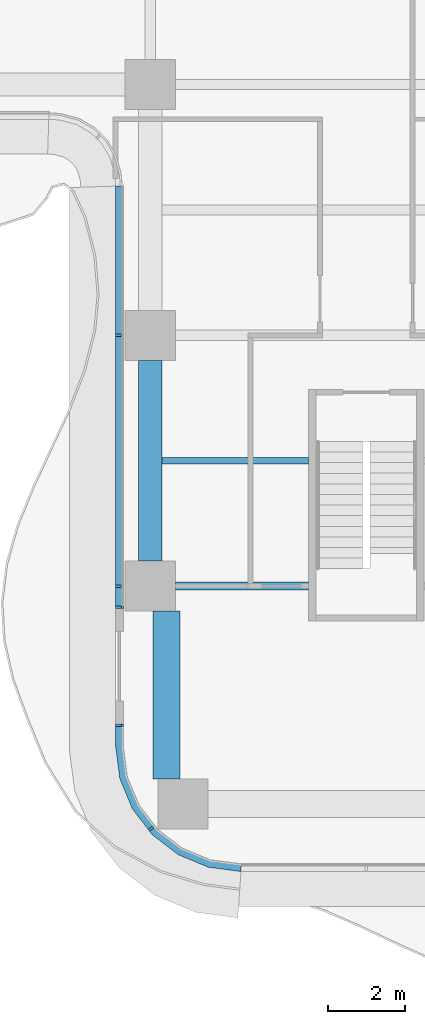
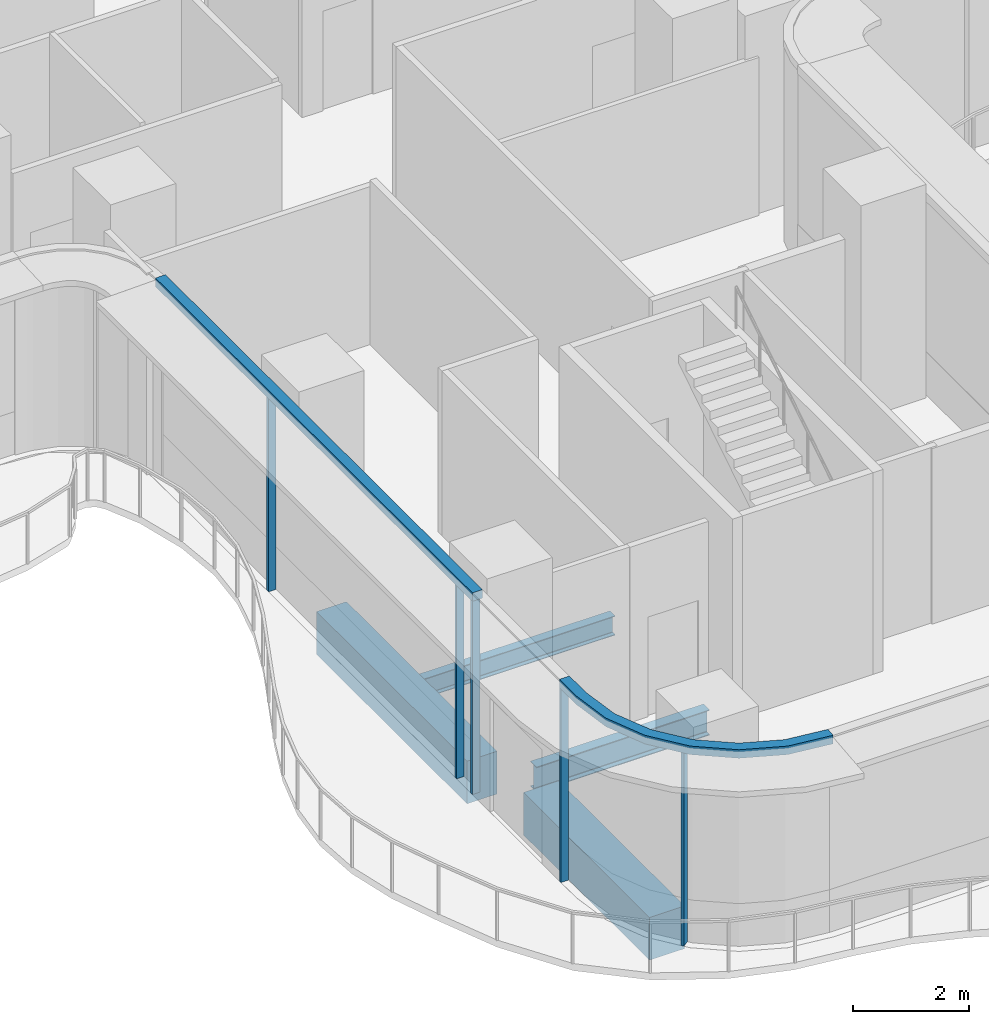
# One storey, part 2 of 21: 7 members, 4 beams, 2 elements without a shape of their own.
"""IFC4 building model written with IfcOpenShell, lengths in metres."""

from ifc_helpers import new_model, si_unit, direction, frame, origin, origin_2d, place, context, subcontext, project, spatial, polyline, rectangle, i_section, outline, extrude, source, transform, mapped, material, layer, layer_set, material_profile, profile_set, type_object, element, aggregate, save


model = new_model("IFC4")

# Units and contexts
model_context = context("Model", 3, precision=1e-05, world=origin(), true_north=direction((0.0, 1.0)))
body_context = subcontext(model_context, "Body", "Model", "MODEL_VIEW")
ifc_project = project(units=[si_unit("LENGTHUNIT", "METRE"), si_unit("AREAUNIT", "SQUARE_METRE"), si_unit("VOLUMEUNIT", "CUBIC_METRE"), si_unit("PLANEANGLEUNIT", "RADIAN"), si_unit("MASSUNIT", "GRAM", prefix="KILO")], contexts=[model_context])

# Site, building, storey
site_placement = place(None, origin())
site = spatial("IfcSite", under=ifc_project, at=site_placement, CompositionType="ELEMENT")
building_placement = place(site_placement, origin())
building = spatial("IfcBuilding", under=site, at=building_placement, Name="Trellis Farm Tower", CompositionType="ELEMENT")
storey_placement = place(building_placement, frame((0.0, 0.0, 147.0)))
storey = spatial("IfcBuildingStorey", under=building, at=storey_placement, Name="L31", CompositionType="ELEMENT", Elevation=147.0)

# Beams
ifc_material_1 = material(Name="Steel S355", Category="steel")
ifc_material_profile_1 = material_profile(ifc_material_1, i_section(OverallWidth=0.177978515625, OverallDepth=0.406494140625, WebThickness=0.0078125, FlangeThickness=0.0126953125, FilletRadius=0.01025390625, at=origin_2d()), Name="UB 406x178x60")
ifc_profile_set_1 = profile_set([ifc_material_profile_1], Name="Steel S355")
beam_type_1 = type_object("IfcBeamType", Name="UB 406x178x60 joist", PredefinedType="JOIST", material=ifc_profile_set_1)
shared_shape_1 = source(origin(), body_context, "Body", "SweptSolid", [
    extrude(i_section(OverallWidth=0.177978515625, OverallDepth=0.406494140625, WebThickness=0.0078125, FlangeThickness=0.0126953125, FilletRadius=0.01025390625, at=origin_2d()), origin(), (0.0, 0.0, 1.0), 3.800048828125),
])
beam_1_placement = place(storey_placement, frame((-5.300048828125, -15.35009765625, -0.453125), z_axis=(1.0, 0.0, 0.0), x_axis=(0.0, 1.0, 0.0)))
element("IfcBeam", 1, at=beam_1_placement, inside=storey, type_object=beam_type_1, Name="Floor beam", PredefinedType="JOIST", context=body_context, shape_type="MappedRepresentation", body=[
    mapped(shared_shape_1, transform((0.0, 0.0, 0.0))),
])
ifc_material_profile_2 = material_profile(ifc_material_1, i_section(OverallWidth=0.209228515625, OverallDepth=0.533203125, WebThickness=0.010009765625, FlangeThickness=0.015625, FilletRadius=0.0126953125, at=origin_2d()), Name="UB 533x210x92")
ifc_profile_set_2 = profile_set([ifc_material_profile_2], Name="Steel S355")
beam_type_2 = type_object("IfcBeamType", Name="UB 533x210x92", PredefinedType="BEAM", material=ifc_profile_set_2)
shared_shape_2 = source(origin(), body_context, "Body", "SweptSolid", [
    extrude(i_section(OverallWidth=0.209228515625, OverallDepth=0.533203125, WebThickness=0.010009765625, FlangeThickness=0.015625, FilletRadius=0.0126953125, at=origin_2d()), origin(), (0.0, 0.0, 1.0), 3.449951171875),
])
beam_2_placement = place(storey_placement, frame((-4.949951171875, -18.60009765625, -0.5166015625), z_axis=(1.0, 0.0, 0.0), x_axis=(0.0, 1.0, 0.0)))
element("IfcBeam", 2, at=beam_2_placement, inside=storey, type_object=beam_type_2, Name="Girder", PredefinedType="BEAM", context=body_context, shape_type="MappedRepresentation", body=[
    mapped(shared_shape_2, transform((0.0, 0.0, 0.0))),
])
ifc_material_2 = material(Name="Concrete C60/75", Category="concrete")
ifc_material_profile_3 = material_profile(ifc_material_2, rectangle(XDim=0.60009765625, YDim=0.89990234375, at=origin_2d()), Name="RC spandrel beam 600x900 C60/75")
ifc_profile_set_3 = profile_set([ifc_material_profile_3], Name="Concrete C60/75")
beam_type_3 = type_object("IfcBeamType", Name="RC spandrel beam 600x900 C60/75", PredefinedType="SPANDREL", material=ifc_profile_set_3)
shared_shape_3 = source(origin(), body_context, "Body", "SweptSolid", [
    extrude(rectangle(XDim=0.60009765625, YDim=0.89990234375, at=origin_2d()), origin(), (0.0, 0.0, 1.0), 5.199951171875),
])
beam_3_placement = place(storey_placement, frame((-5.60009765625, -17.949951171875, -0.699951171875), z_axis=(0.0, 1.0, 0.0), x_axis=(-1.0, 0.0, 0.0)))
element("IfcBeam", 3, at=beam_3_placement, inside=storey, type_object=beam_type_3, Name="Girder", PredefinedType="SPANDREL", context=body_context, shape_type="MappedRepresentation", body=[
    mapped(shared_shape_3, transform((0.0, 0.0, 0.0))),
])
ifc_material_profile_4 = material_profile(ifc_material_2, rectangle(XDim=0.699951171875, YDim=0.89990234375, at=origin_2d()), Name="RC spandrel beam 700x900 C60/75")
ifc_profile_set_4 = profile_set([ifc_material_profile_4], Name="Concrete C60/75")
beam_type_4 = type_object("IfcBeamType", Name="RC spandrel beam 700x900 C60/75", PredefinedType="SPANDREL", material=ifc_profile_set_4)
shared_shape_4 = source(origin(), body_context, "Body", "SweptSolid", [
    extrude(rectangle(XDim=0.699951171875, YDim=0.89990234375, at=origin_2d()), origin(), (0.0, 0.0, 1.0), 4.35009765625),
])
beam_4_placement = place(storey_placement, frame((-5.175048828125, -23.60009765625, -0.699951171875), z_axis=(0.0, 1.0, 0.0), x_axis=(-1.0, 0.0, 0.0)))
element("IfcBeam", 4, at=beam_4_placement, inside=storey, type_object=beam_type_4, Name="Girder", PredefinedType="SPANDREL", context=body_context, shape_type="MappedRepresentation", body=[
    mapped(shared_shape_4, transform((0.0, 0.0, 0.0))),
])

# Curtain wall, members
ifc_material_3 = material(Name="Aluminium and glass curtain wall", Category="aluminium")
ifc_layer_1 = layer(ifc_material_3, 0.18994140625)
ifc_layer_set_1 = layer_set([ifc_layer_1], Name="RIBBON CURTAIN WALL CW1")
curtain_wall_type = type_object("IfcCurtainWallType", Name="RIBBON CURTAIN WALL CW1", PredefinedType="NOTDEFINED", material=ifc_layer_set_1)
placement_1 = place(storey_placement, origin())
curtain_wall_1 = element("IfcCurtainWall", 5, at=placement_1, inside=storey, type_object=curtain_wall_type, Name="CW1 002", PredefinedType="NOTDEFINED")
ifc_material_4 = material(Name="Aluminium extrusion 6063-T6", Category="aluminium")
ifc_material_profile_5 = material_profile(ifc_material_4, rectangle(XDim=0.06005859375, YDim=0.14990234375, at=origin_2d()), Name="MULLION 60x150")
ifc_profile_set_5 = profile_set([ifc_material_profile_5], Name="Aluminium extrusion 6063-T6")
member_type_1 = type_object("IfcMemberType", Name="CW1 MULLION 60x150", PredefinedType="MULLION", material=ifc_profile_set_5)
shared_shape_5 = source(origin(), body_context, "Body", "SweptSolid", [
    extrude(rectangle(XDim=0.06005859375, YDim=0.14990234375, at=origin_2d()), origin(), (0.0, 0.0, 1.0), 4.070068359375),
])
member_1_placement = place(storey_placement, frame((-6.425048828125, -12.10009765625, 0.0), z_axis=(0.0, 0.0, 1.0), x_axis=(0.0, -1.0, 0.0)))
member_1 = element("IfcMember", 6, at=member_1_placement, type_object=member_type_1, Name="MU1 002-01", PredefinedType="MULLION", context=body_context, shape_type="MappedRepresentation", body=[
    mapped(shared_shape_5, transform((0.0, 0.0, 0.0))),
])
member_2_placement = place(storey_placement, frame((-6.425048828125, -18.60009765625, 0.0), z_axis=(0.0, 0.0, 1.0), x_axis=(0.0, -1.0, 0.0)))
member_2 = element("IfcMember", 7, at=member_2_placement, type_object=member_type_1, Name="MU1 002-02", PredefinedType="MULLION", context=body_context, shape_type="MappedRepresentation", body=[
    mapped(shared_shape_5, transform((0.0, 0.0, 0.0))),
])
member_3_placement = place(storey_placement, frame((-6.425048828125, -19.14501953125, 0.0), z_axis=(0.0, 0.0, 1.0), x_axis=(0.0, -1.0, 0.0)))
member_3 = element("IfcMember", 8, at=member_3_placement, type_object=member_type_1, Name="MU1 002-03", PredefinedType="MULLION", context=body_context, shape_type="MappedRepresentation", body=[
    mapped(shared_shape_5, transform((0.0, 0.0, 0.0))),
])

curtain_wall_2 = element("IfcCurtainWall", 9, at=placement_1, inside=storey, type_object=curtain_wall_type, Name="CW1 003", PredefinedType="NOTDEFINED")
member_4_placement = place(storey_placement, frame((-6.425048828125, -22.205078125, 0.0), z_axis=(0.0, 0.0, 1.0), x_axis=(0.0, -1.0, 0.0)))
member_4 = element("IfcMember", 10, at=member_4_placement, type_object=member_type_1, Name="MU1 003-01", PredefinedType="MULLION", context=body_context, shape_type="MappedRepresentation", body=[
    mapped(shared_shape_5, transform((0.0, 0.0, 0.0))),
])
member_5_placement = place(storey_placement, frame((-5.578369140625, -24.885498046875, 0.0), z_axis=(0.0, 0.0, 1.0), x_axis=(0.608761429009, -0.793353340291, 0.0)))
member_5 = element("IfcMember", 11, at=member_5_placement, type_object=member_type_1, Name="MU1 003-02", PredefinedType="MULLION", context=body_context, shape_type="MappedRepresentation", body=[
    mapped(shared_shape_5, transform((0.0, 0.0, 0.0))),
])

# Member
ifc_layer_2 = layer(ifc_material_4, 0.199951171875)
ifc_layer_set_2 = layer_set([ifc_layer_2], Name="Aluminium extrusion 6063-T6")
member_type_2 = type_object("IfcMemberType", Name="CW1 TRANSOM 200x180", PredefinedType="USERDEFINED", material=ifc_layer_set_2)
shared_shape_6 = source(origin(), body_context, "Body", "SweptSolid", [
    extrude(outline(polyline([(-6.5, -8.2314453125), (-6.5, -19.175048828125), (-6.300048828125, -19.175048828125), (-6.300048828125, -8.224853515625), (-6.5, -8.2314453125)])), origin(), (0.0, 0.0, 1.0), 0.179931640625),
])
placement_2 = place(storey_placement, frame((0.0, 0.0, 4.070068359375)))
member_6 = element("IfcMember", 12, at=placement_2, type_object=member_type_2, Name="TR1 002", ObjectType="TRANSOM", PredefinedType="USERDEFINED", context=body_context, shape_type="MappedRepresentation", body=[
    mapped(shared_shape_6, transform((0.0, 0.0, 0.0))),
])

aggregate(curtain_wall_1, [member_1, member_2, member_3, member_6])

shared_shape_7 = source(origin(), body_context, "Body", "SweptSolid", [
    extrude(outline(polyline([(-6.5, -22.175048828125), (-6.5, -22.75), (-6.38916015625, -23.591064453125), (-6.064697265625, -24.375), (-5.548095703125, -25.048095703125), (-4.875, -25.564697265625), (-4.091064453125, -25.88916015625), (-3.25, -26.0), (-3.23681640625, -25.800048828125), (-4.0390625, -25.6943359375), (-4.774169921875, -25.389892578125), (-5.405517578125, -24.905517578125), (-5.889892578125, -24.274169921875), (-6.1943359375, -23.5390625), (-6.300048828125, -22.73681640625), (-6.300048828125, -22.175048828125), (-6.5, -22.175048828125)])), origin(), (0.0, 0.0, 1.0), 0.179931640625),
])
member_7 = element("IfcMember", 13, at=placement_2, type_object=member_type_2, Name="TR1 003", ObjectType="TRANSOM", PredefinedType="USERDEFINED", context=body_context, shape_type="MappedRepresentation", body=[
    mapped(shared_shape_7, transform((0.0, 0.0, 0.0))),
])

aggregate(curtain_wall_2, [member_4, member_5, member_7])

save(model, "model.ifc")
